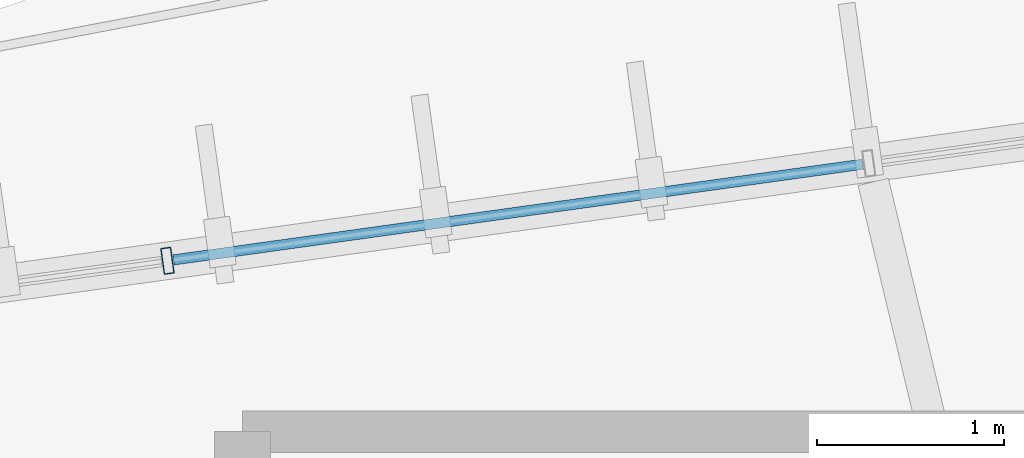
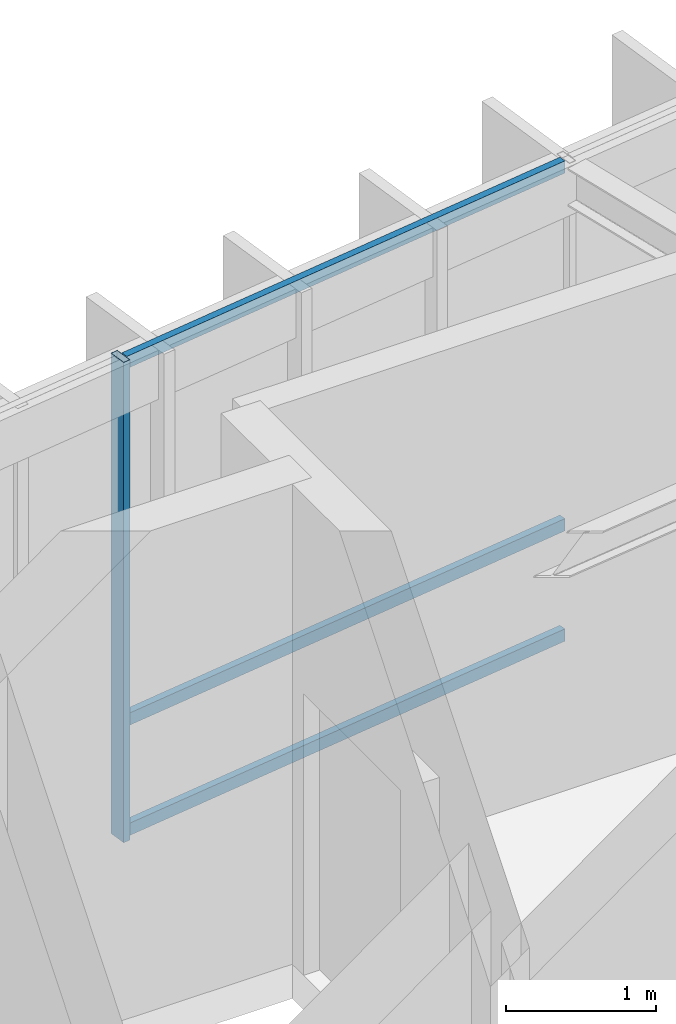
# One storey, part 35 of 79: 4 members, 1 element without a shape of its own.
"""IFC4 building model written with IfcOpenShell, lengths in metres."""

from ifc_helpers import new_model, si_unit, direction, frame, origin, origin_2d, place, context, subcontext, project, spatial, hollow_rectangle, extrude, material, material_profile, profile_set, type_object, element, aggregate, save


model = new_model("IFC4")

# Units and contexts
model_context = context("Model", 3, precision=1e-05, world=origin(), true_north=direction((0.0, 1.0)))
body_context = subcontext(model_context, "Body", "Model", "MODEL_VIEW")
ifc_project = project(units=[si_unit("LENGTHUNIT", "METRE"), si_unit("AREAUNIT", "SQUARE_METRE"), si_unit("VOLUMEUNIT", "CUBIC_METRE"), si_unit("PLANEANGLEUNIT", "RADIAN"), si_unit("MASSUNIT", "GRAM", prefix="KILO"), si_unit("THERMODYNAMICTEMPERATUREUNIT", "KELVIN"), si_unit("POWERUNIT", "WATT")], contexts=[model_context])

# Site, building, storey
site_placement = place(None, origin())
site = spatial("IfcSite", under=ifc_project, at=site_placement, CompositionType="ELEMENT")
building_placement = place(site_placement, origin())
building = spatial("IfcBuilding", under=site, at=building_placement, Name="Darbajah Civic Hall", CompositionType="ELEMENT")
storey_placement = place(building_placement, frame((0.0, 0.0, 22.199951171875)))
storey = spatial("IfcBuildingStorey", under=building, at=storey_placement, Name="L05", CompositionType="ELEMENT", Elevation=22.199951171875)

# Curtain wall, members
ifc_material_1 = material(Name="Anodised Bronze Aluminium and Low-E Glazing", Category="aluminium")
curtain_wall_type = type_object("IfcCurtainWallType", Name="Unitised Curtain Wall CW-66 15100x3900", PredefinedType="USERDEFINED", material=ifc_material_1)
curtain_wall_placement = place(storey_placement, origin())
curtain_wall = element("IfcCurtainWall", 1, at=curtain_wall_placement, inside=storey, type_object=curtain_wall_type, Name="L05 unitised curtain wall CW-V1O-L05-05", ObjectType="UNITISED CURTAIN WALL", PredefinedType="USERDEFINED")
ifc_material_2 = material(Name="Anodised Bronze Aluminium", Category="aluminium")
ifc_material_profile_1 = material_profile(ifc_material_2, hollow_rectangle(XDim=0.054931640625, YDim=0.139892578125, WallThickness=0.003173828125, at=origin_2d()), Name="ALU MULLION 55x140")
ifc_profile_set_1 = profile_set([ifc_material_profile_1], Name="Anodised Bronze Aluminium")
member_type_1 = type_object("IfcMemberType", Name="ALU MULLION 55x140", PredefinedType="MULLION", material=ifc_profile_set_1)
member_1_placement = place(storey_placement, frame((73.59912109375, 117.612060546875, 0.0), z_axis=(0.0, 0.0, 1.0), x_axis=(-0.990485459553, -0.137617420457, 0.0)))
member_1 = element("IfcMember", 2, at=member_1_placement, type_object=member_type_1, Name="CW-V1O-L05-05 mullion 4", PredefinedType="MULLION", context=body_context, shape_type="SweptSolid", body=[
    extrude(hollow_rectangle(XDim=0.054931640625, YDim=0.139892578125, WallThickness=0.003173828125, at=origin_2d()), origin(), (0.0, 0.0, 1.0), 3.920166015625),
])
ifc_material_profile_2 = material_profile(ifc_material_2, hollow_rectangle(XDim=0.054931640625, YDim=0.10009765625, WallThickness=0.0029296875, at=origin_2d()), Name="ALU TRANSOM 55x100")
ifc_profile_set_2 = profile_set([ifc_material_profile_2], Name="Anodised Bronze Aluminium")
member_type_2 = type_object("IfcMemberType", Name="ALU TRANSOM 55x100", PredefinedType="USERDEFINED", material=ifc_profile_set_2)
member_2_placement = place(storey_placement, frame((77.30859375, 118.127197265625, 0.050048828125), z_axis=(-0.990500734185, -0.137507438267, 0.0), x_axis=(0.137507438267, -0.990500734185, 0.0)))
member_2 = element("IfcMember", 3, at=member_2_placement, type_object=member_type_2, Name="CW-V1O-L05-05 transom 3.1", ObjectType="TRANSOM", PredefinedType="USERDEFINED", context=body_context, shape_type="SweptSolid", body=[
    extrude(hollow_rectangle(XDim=0.054931640625, YDim=0.10009765625, WallThickness=0.0029296875, at=origin_2d()), origin(), (0.0, 0.0, 1.0), 3.71240234375),
])
member_3_placement = place(storey_placement, frame((77.30859375, 118.127197265625, 0.949951171875), z_axis=(-0.990500734185, -0.137507438267, 0.0), x_axis=(0.137507438267, -0.990500734185, 0.0)))
member_3 = element("IfcMember", 4, at=member_3_placement, type_object=member_type_2, Name="CW-V1O-L05-05 transom 3.2", ObjectType="TRANSOM", PredefinedType="USERDEFINED", context=body_context, shape_type="SweptSolid", body=[
    extrude(hollow_rectangle(XDim=0.054931640625, YDim=0.10009765625, WallThickness=0.0029296875, at=origin_2d()), origin(), (0.0, 0.0, 1.0), 3.71240234375),
])
member_4_placement = place(storey_placement, frame((77.30859375, 118.127197265625, 3.8701171875), z_axis=(-0.990500734185, -0.137507438267, 0.0), x_axis=(0.137507438267, -0.990500734185, 0.0)))
member_4 = element("IfcMember", 5, at=member_4_placement, type_object=member_type_2, Name="CW-V1O-L05-05 transom 3.3", ObjectType="TRANSOM", PredefinedType="USERDEFINED", context=body_context, shape_type="SweptSolid", body=[
    extrude(hollow_rectangle(XDim=0.054931640625, YDim=0.10009765625, WallThickness=0.0029296875, at=origin_2d()), origin(), (0.0, 0.0, 1.0), 3.71240234375),
])
aggregate(curtain_wall, [member_1, member_2, member_3, member_4])

save(model, "model.ifc")
